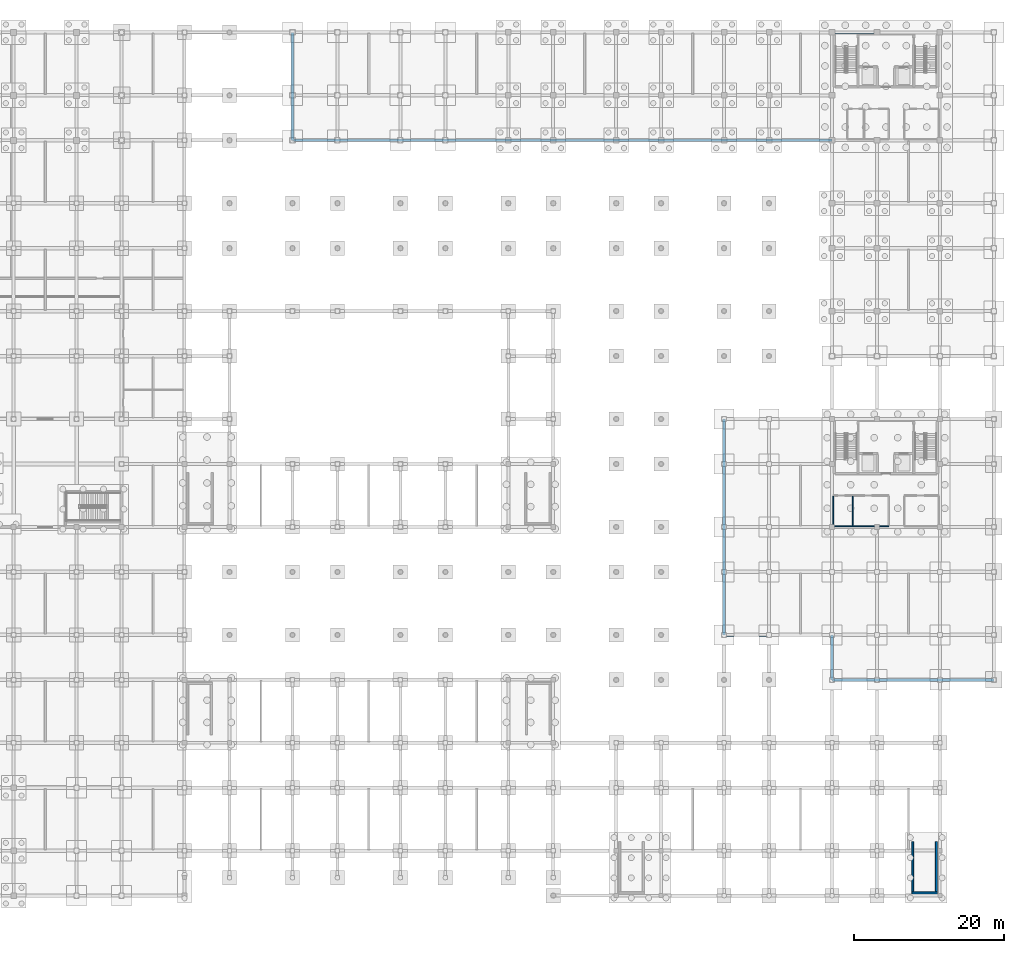
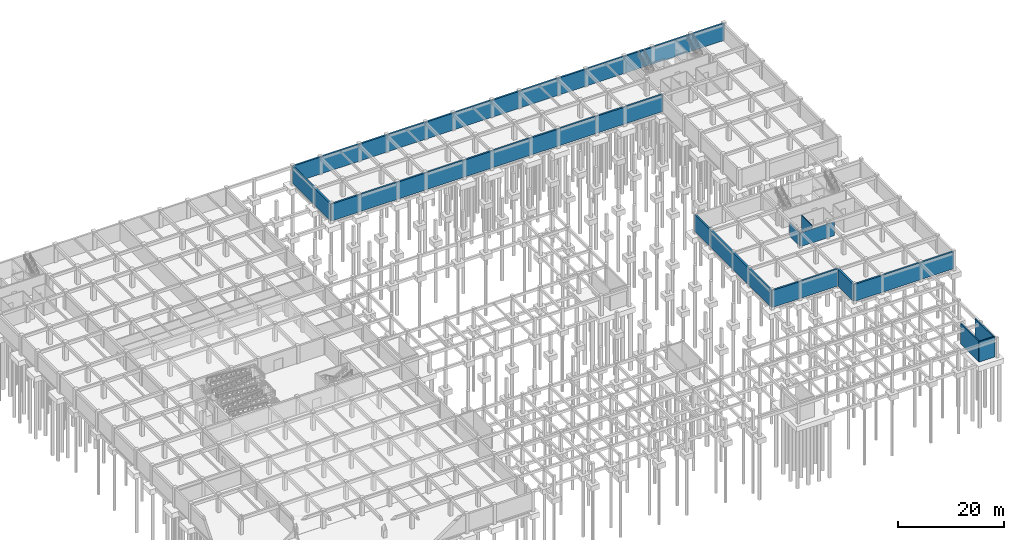
# One storey, part 29 of 40: 13 walls.
"""IFC4 building model written with IfcOpenShell, lengths in metres."""

import ifcopenshell
import ifcopenshell.guid

model = None  # the IFC model being written
_history = None  # IfcOwnerHistory: only IFC2X3 demands one
_inside = {}  # id of a spatial element -> (the spatial element, [elements in it])
_under = {}  # id of a project, library or spatial element -> (it, [spatial elements below it])
_declared = {}  # id of a project -> (the project, [libraries it declares])
_typed = {}  # id of a type object -> (the type object, [elements of that type])
_made_of = {}  # id of a material, layer set ... -> (it, [elements and type objects made of it])


def new_model(schema):
    """Start an empty IFC model of exactly this schema.

    Asked for "IFC4X3", IfcOpenShell would pick the latest addendum, in which some entities
    have other attributes; the version numbers below select the first issue.
    IFC2X3 requires an IfcOwnerHistory on every rooted entity: one is made here for all.
    """
    global model, _history
    if schema == "IFC4X3":
        model = ifcopenshell.file(schema_version=(4, 3, 0, 0))
    else:
        model = ifcopenshell.file(schema=schema)
    _inside.clear()
    _under.clear()
    _declared.clear()
    _typed.clear()
    _made_of.clear()
    _history = None
    if model.schema == "IFC2X3":
        org = make("IfcOrganization", Name="unknown")
        user = make(
            "IfcPersonAndOrganization",
            ThePerson=make("IfcPerson", FamilyName="unknown"),
            TheOrganization=org,
        )
        app = make(
            "IfcApplication",
            ApplicationDeveloper=org,
            Version="unknown",
            ApplicationFullName="unknown",
            ApplicationIdentifier="unknown",
        )
        _history = make(
            "IfcOwnerHistory",
            OwningUser=user,
            OwningApplication=app,
            ChangeAction="ADDED",
            CreationDate=0,
        )
    return model


def make(cls, **values):
    """One entity of the class cls with the attributes given. An attribute that is None is left unset."""
    return model.create_entity(
        cls, **{name: value for name, value in values.items() if value is not None}
    )


def rooted(cls, **values):
    """An entity with a GlobalId (a new one), such as an element, a storey or a relation."""
    return make(cls, GlobalId=ifcopenshell.guid.new(), OwnerHistory=_history, **values)


def si_unit(unit_type, name, prefix=None):
    """IfcSIUnit, for example si_unit("LENGTHUNIT", "METRE", prefix="MILLI")."""
    return make("IfcSIUnit", UnitType=unit_type, Prefix=prefix, Name=name)


def assignment(units):
    """IfcUnitAssignment: the units of a project."""
    return None if units is None else make("IfcUnitAssignment", Units=units)


def point(xyz):
    """IfcCartesianPoint."""
    return None if xyz is None else make("IfcCartesianPoint", Coordinates=xyz)


def direction(xyz):
    """IfcDirection."""
    return None if xyz is None else make("IfcDirection", DirectionRatios=xyz)


def frame(location, z_axis=None, x_axis=None):
    """IfcAxis2Placement3D, a coordinate frame: its origin and axes. An axis left out is left unset."""
    return make(
        "IfcAxis2Placement3D",
        Location=point(location),
        Axis=direction(z_axis),
        RefDirection=direction(x_axis),
    )


def frame_2d(location, x_axis=None):
    """IfcAxis2Placement2D, a coordinate frame in the plane: its origin and x axis."""
    return make(
        "IfcAxis2Placement2D", Location=point(location), RefDirection=direction(x_axis)
    )


def origin():
    """The frame at (0, 0, 0) with its axes left unset."""
    return frame((0.0, 0.0, 0.0))


def place(relative_to, where):
    """IfcLocalPlacement: puts the frame where relative to a parent placement (None: the world)."""
    return make(
        "IfcLocalPlacement", PlacementRelTo=relative_to, RelativePlacement=where
    )


def context(
    kind, dimensions, precision=None, world=None, true_north=None, identifier=None
):
    """IfcGeometricRepresentationContext, for example the 3D "Model" context."""
    return make(
        "IfcGeometricRepresentationContext",
        ContextIdentifier=identifier,
        ContextType=kind,
        CoordinateSpaceDimension=dimensions,
        Precision=precision,
        WorldCoordinateSystem=world,
        TrueNorth=true_north,
    )


def subcontext(parent, identifier, kind, view, scale=None):
    """IfcGeometricRepresentationSubContext, for example "Body" below "Model"."""
    return make(
        "IfcGeometricRepresentationSubContext",
        ContextIdentifier=identifier,
        ContextType=kind,
        ParentContext=parent,
        TargetScale=scale,
        TargetView=view,
    )


def project(units=None, contexts=None):
    """IfcProject with its units and contexts."""
    return rooted(
        "IfcProject",
        Name="project",
        RepresentationContexts=contexts,
        UnitsInContext=assignment(units),
    )


def spatial(cls, under=None, at=None, **own):
    """A site, building, storey or space (cls), placed at a placement, below another one or the project."""
    s = rooted(cls, ObjectPlacement=at, **own)
    if under is not None:
        _under.setdefault(under.id(), (under, []))[1].append(s)
    return s


def profile(cls, at=None, kind="AREA", **sizes):
    """A parametric profile (cls). Its sizes go by their IFC names, for example OverallWidth=200.0."""
    return make(cls, ProfileType=kind, Position=at, **sizes)


def rectangle(**sizes):
    """IfcRectangleProfileDef."""
    return profile("IfcRectangleProfileDef", **sizes)


def extrude(swept, where, along, depth):
    """IfcExtrudedAreaSolid: the profile swept, set in the frame where, extruded along a direction by depth."""
    return make(
        "IfcExtrudedAreaSolid",
        SweptArea=swept,
        Position=where,
        ExtrudedDirection=direction(along),
        Depth=depth,
    )


def shape(context_of_items, identifier, shape_type, items):
    """IfcShapeRepresentation: the items that make up one representation, for example the "Body"."""
    return make(
        "IfcShapeRepresentation",
        ContextOfItems=context_of_items,
        RepresentationIdentifier=identifier,
        RepresentationType=shape_type,
        Items=items,
    )


def material(Name=None, Category=None):
    """IfcMaterial."""
    return make("IfcMaterial", Name=Name, Category=Category)


def layer(
    of_material, thickness, ventilated=None, Name=None, Category=None, Priority=None
):
    """IfcMaterialLayer: one layer of a wall or slab, of a material (None: an air gap)."""
    return make(
        "IfcMaterialLayer",
        Material=of_material,
        LayerThickness=thickness,
        IsVentilated=ventilated,
        Name=Name,
        Category=Category,
        Priority=Priority,
    )


def layer_set(layers, Name=None):
    """IfcMaterialLayerSet."""
    return make("IfcMaterialLayerSet", MaterialLayers=layers, LayerSetName=Name)


def made_of(thing, what):
    """Note that an element or type object is made of a material, layer set ...; save() writes the relation."""
    if what is not None:
        _made_of.setdefault(what.id(), (what, []))[1].append(thing)
    return thing


def type_object(cls, material=None, **own):
    """A type object (cls), such as IfcWallType, which elements share."""
    return made_of(rooted(cls, **own), material)


def element(
    cls,
    number,
    at=None,
    inside=None,
    cuts=None,
    type_object=None,
    material=None,
    context=None,
    identifier="Body",
    shape_type=None,
    held_by="IfcProductDefinitionShape",
    body=None,
    shapes=None,
    **own,
):
    """One element of the class cls, such as IfcWall. Its Tag is "e" and its number.

    at: its placement. inside: the storey or other place that contains it. cuts: it is an
    opening in that element (IfcRelVoidsElement). A single representation is given by context,
    identifier, shape_type and body (its items); several are given by shapes. held_by: the class
    of the entity that holds the representations. save() writes the other relations.
    """
    e = rooted(cls, Tag="e%d" % number, ObjectPlacement=at, **own)
    if body is not None:
        shapes = [shape(context, identifier, shape_type, body)]
    if shapes is not None:
        e.Representation = make(held_by, Representations=shapes)
    if inside is not None:
        _inside.setdefault(inside.id(), (inside, []))[1].append(e)
    if cuts is not None:
        rooted(
            "IfcRelVoidsElement", RelatingBuildingElement=cuts, RelatedOpeningElement=e
        )
    if type_object is not None:
        _typed.setdefault(type_object.id(), (type_object, []))[1].append(e)
    return made_of(e, material)


def aggregate(whole, parts):
    """IfcRelAggregates: a whole, such as a stair, and the parts it consists of."""
    return rooted("IfcRelAggregates", RelatingObject=whole, RelatedObjects=parts)


def save(model, path):
    """Write the relations noted so far, then the file.

    IfcRelAggregates (storeys below a building ...), IfcRelContainedInSpatialStructure (elements
    in a storey), IfcRelDefinesByType, IfcRelAssociatesMaterial and IfcRelDeclares: one each for
    every whole, place, type object, material and project.
    """
    for whole, parts in _under.values():
        aggregate(whole, parts)
    for where, things in _inside.values():
        rooted(
            "IfcRelContainedInSpatialStructure",
            RelatedElements=things,
            RelatingStructure=where,
        )
    for kind, things in _typed.values():
        rooted("IfcRelDefinesByType", RelatedObjects=things, RelatingType=kind)
    for what, things in _made_of.values():
        rooted("IfcRelAssociatesMaterial", RelatedObjects=things, RelatingMaterial=what)
    for by, libraries in _declared.values():
        rooted("IfcRelDeclares", RelatingContext=by, RelatedDefinitions=libraries)
    model.write(path)


model = new_model("IFC4")

# Units and contexts
model_context = context("Model", 3, precision=1e-05, world=origin(), true_north=direction((0.0, 1.0)))
body_context = subcontext(model_context, "Body", "Model", "MODEL_VIEW")
ifc_project = project(units=[si_unit("LENGTHUNIT", "METRE"), si_unit("AREAUNIT", "SQUARE_METRE"), si_unit("VOLUMEUNIT", "CUBIC_METRE"), si_unit("PLANEANGLEUNIT", "RADIAN"), si_unit("MASSUNIT", "GRAM", prefix="KILO"), si_unit("THERMODYNAMICTEMPERATUREUNIT", "KELVIN")], contexts=[model_context])

# Site, building, storey
site_placement = place(None, origin())
site = spatial("IfcSite", under=ifc_project, at=site_placement, CompositionType="ELEMENT")
building_placement = place(site_placement, origin())
building = spatial("IfcBuilding", under=site, at=building_placement, Name="Thalorik Housing Commons", CompositionType="ELEMENT")
storey_placement = place(building_placement, frame((0.0, 0.0, -4.199951171875)))
storey = spatial("IfcBuildingStorey", under=building, at=storey_placement, Name="B1", CompositionType="ELEMENT", Elevation=-4.199951171875)

# Walls
ifc_material_1 = material(Name="Concrete C40/50", Category="concrete")
ifc_layer_1 = layer(ifc_material_1, 0.25, Name="Concrete C40/50", Category="concrete")
ifc_layer_set_1 = layer_set([ifc_layer_1], Name="Concrete C40/50")
wall_type_1 = type_object("IfcWallType", Name="ARC-WAL-CORE-250", PredefinedType="SHEAR", material=ifc_layer_set_1)
for number, where, z_axis, x_axis, name in (
    (1, (163.175048828125, 15.60009765625, -0.449951171875), (0.0, 0.0, 1.0), (0.0, -1.0, 0.0), "B1 Stair ST-N2 Structural Support Wall L"),
    (2, (166.324951171875, 15.60009765625, -0.449951171875), (0.0, 0.0, 1.0), (0.0, -1.0, 0.0), "B1 Stair ST-N2 Structural Support Wall R"),
):
    element("IfcWall", number, at=place(storey_placement, frame(where, z_axis=z_axis, x_axis=x_axis)), inside=storey, type_object=wall_type_1, Name=name, PredefinedType="SHEAR", context=body_context, shape_type="SweptSolid", body=[
        extrude(rectangle(XDim=6.7001953125, YDim=0.25, at=frame_2d((3.35009765625, 0.0))), origin(), (0.0, 0.0, 1.0), 4.64990234375),
    ])
wall_1_placement = place(storey_placement, frame((163.050048828125, 8.77490234375, -0.449951171875), z_axis=(0.0, 0.0, 1.0), x_axis=(1.0, 0.0, 0.0)))
element("IfcWall", 3, at=wall_1_placement, inside=storey, type_object=wall_type_1, Name="B1 Stair ST-N2 Structural Support Wall F", PredefinedType="SHEAR", context=body_context, shape_type="SweptSolid", body=[
    extrude(rectangle(XDim=3.39990234375, YDim=0.25, at=frame_2d((1.699951171875, 0.0))), origin(), (0.0, 0.0, 1.0), 4.64990234375),
])
ifc_material_2 = material(Name="Ceramic masonry partition wall", Category="masonry")
ifc_layer_2 = layer(ifc_material_2, 0.14794921875, Name="Ceramic masonry partition wall", Category="masonry")
ifc_layer_set_2 = layer_set([ifc_layer_2], Name="Ceramic masonry partition wall")
wall_type_2 = type_object("IfcWallType", Name="ARC-WAL-PART-150", PredefinedType="PARTITIONING", material=ifc_layer_set_2)
wall_2_placement = place(storey_placement, frame((152.5400390625, 61.72412109375, 0.0), z_axis=(0.0, 0.0, 1.0), x_axis=(0.0, -1.0, 0.0)))
element("IfcWall", 4, at=wall_2_placement, inside=storey, type_object=wall_type_2, Name="Core West Enclosing Wall", PredefinedType="PARTITIONING", context=body_context, shape_type="SweptSolid", body=[
    extrude(rectangle(XDim=3.92822265625, YDim=0.14794921875, at=frame_2d((1.964111328125, 0.0))), origin(), (0.0, 0.0, 1.0), 3.18505859375),
])
wall_3_placement = place(storey_placement, frame((155.175048828125, 61.72412109375, 0.0), z_axis=(0.0, 0.0, 1.0), x_axis=(0.0, -1.0, 0.0)))
element("IfcWall", 5, at=wall_3_placement, inside=storey, type_object=wall_type_2, Name="Riser Wall", PredefinedType="PARTITIONING", context=body_context, shape_type="SweptSolid", body=[
    extrude(rectangle(XDim=3.92822265625, YDim=0.14794921875, at=frame_2d((1.964111328125, 0.0))), origin(), (0.0, 0.0, 1.0), 3.89990234375),
])
wall_4_placement = place(storey_placement, frame((152.5400390625, 57.719970703125, 0.0), z_axis=(0.0, 0.0, 1.0), x_axis=(1.0, 0.0, 0.0)))
element("IfcWall", 6, at=wall_4_placement, inside=storey, type_object=wall_type_2, Name="B1 Core D West Rooms Back Wall", PredefinedType="PARTITIONING", context=body_context, shape_type="SweptSolid", body=[
    extrude(rectangle(XDim=7.43505859375, YDim=0.14794921875, at=frame_2d((3.717529296875, 0.0))), origin(), (0.0, 0.0, 1.0), 3.18505859375),
])
ifc_layer_3 = layer(ifc_material_1, 0.3798828125, Name="Concrete C40/50", Category="concrete")
ifc_layer_set_3 = layer_set([ifc_layer_3], Name="Concrete C40/50")
wall_type_3 = type_object("IfcWallType", Name="ARC-WAL-RET-380", PredefinedType="SHEAR", material=ifc_layer_set_3)
wall_5_placement = place(storey_placement, frame((174.0, 123.60009765625, 0.0), z_axis=(0.0, 0.0, 1.0), x_axis=(-1.0, 0.0, 0.0)))
element("IfcWall", 7, at=wall_5_placement, inside=storey, type_object=wall_type_3, Name="B1 Exterior Wall WAL-B1-BLKB-2", PredefinedType="SHEAR", context=body_context, shape_type="SweptSolid", body=[
    extrude(rectangle(XDim=93.60009765625, YDim=0.3798828125, at=frame_2d((46.800048828125, 0.0))), origin(), (0.0, 0.0, 1.0), 3.89990234375),
])
wall_6_placement = place(storey_placement, frame((80.39990234375, 123.60009765625, 0.0), z_axis=(0.0, 0.0, 1.0), x_axis=(0.0, -1.0, 0.0)))
element("IfcWall", 8, at=wall_6_placement, inside=storey, type_object=wall_type_3, Name="B1 Exterior Wall WAL-B1-BLKB-3", PredefinedType="SHEAR", context=body_context, shape_type="SweptSolid", body=[
    extrude(rectangle(XDim=14.400146484375, YDim=0.3798828125, at=frame_2d((7.2001953125, 0.0))), origin(), (0.0, 0.0, 1.0), 3.89990234375),
])
wall_7_placement = place(storey_placement, frame((80.39990234375, 109.199951171875, 0.0), z_axis=(0.0, 0.0, 1.0), x_axis=(1.0, 0.0, 0.0)))
element("IfcWall", 9, at=wall_7_placement, inside=storey, type_object=wall_type_3, Name="B1 Exterior Wall WAL-B1-BLKB-4", PredefinedType="SHEAR", context=body_context, shape_type="SweptSolid", body=[
    extrude(rectangle(XDim=72.0, YDim=0.3798828125, at=frame_2d((36.0, 0.0))), origin(), (0.0, 0.0, 1.0), 3.89990234375),
])
wall_8_placement = place(storey_placement, frame((138.0, 72.0, 0.0), z_axis=(0.0, 0.0, 1.0), x_axis=(0.0, -1.0, 0.0)))
element("IfcWall", 10, at=wall_8_placement, inside=storey, type_object=wall_type_3, Name="B1 Exterior Wall WAL-B1-BLKD-2", PredefinedType="SHEAR", context=body_context, shape_type="SweptSolid", body=[
    extrude(rectangle(XDim=28.800048828125, YDim=0.3798828125, at=frame_2d((14.39990234375, 0.0))), origin(), (0.0, 0.0, 1.0), 3.89990234375),
])
wall_9_placement = place(storey_placement, frame((138.0, 43.199951171875, 0.0), z_axis=(0.0, 0.0, 1.0), x_axis=(1.0, 0.0, 0.0)))
element("IfcWall", 11, at=wall_9_placement, inside=storey, type_object=wall_type_3, Name="B1 Exterior Wall WAL-B1-BLKD-3", PredefinedType="SHEAR", context=body_context, shape_type="SweptSolid", body=[
    extrude(rectangle(XDim=14.39990234375, YDim=0.3798828125, at=frame_2d((7.199951171875, 0.0))), origin(), (0.0, 0.0, 1.0), 3.89990234375),
])
wall_10_placement = place(storey_placement, frame((152.39990234375, 43.199951171875, 0.0), z_axis=(0.0, 0.0, 1.0), x_axis=(0.0, -1.0, 0.0)))
element("IfcWall", 12, at=wall_10_placement, inside=storey, type_object=wall_type_3, Name="B1 Exterior Wall WAL-B1-BLKD-4", PredefinedType="SHEAR", context=body_context, shape_type="SweptSolid", body=[
    extrude(rectangle(XDim=6.0, YDim=0.3798828125, at=frame_2d((3.0, 0.0))), origin(), (0.0, 0.0, 1.0), 3.89990234375),
])
wall_11_placement = place(storey_placement, frame((152.39990234375, 37.199951171875, 0.0), z_axis=(0.0, 0.0, 1.0), x_axis=(1.0, 0.0, 0.0)))
element("IfcWall", 13, at=wall_11_placement, inside=storey, type_object=wall_type_3, Name="B1 Exterior Wall WAL-B1-BLKD-5", PredefinedType="SHEAR", context=body_context, shape_type="SweptSolid", body=[
    extrude(rectangle(XDim=21.60009765625, YDim=0.3798828125, at=frame_2d((10.800048828125, 0.0))), origin(), (0.0, 0.0, 1.0), 3.89990234375),
])

save(model, "model.ifc")
